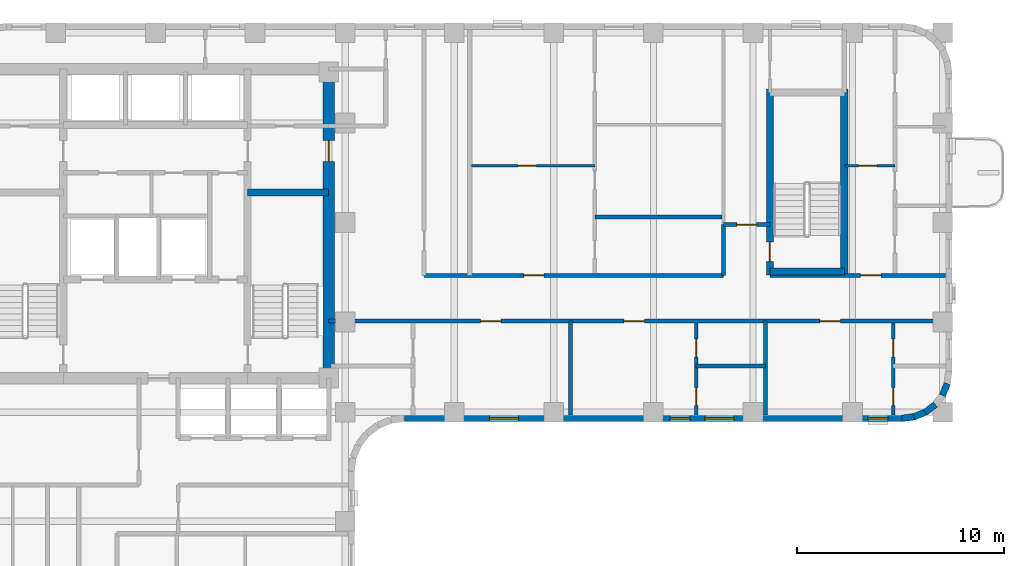
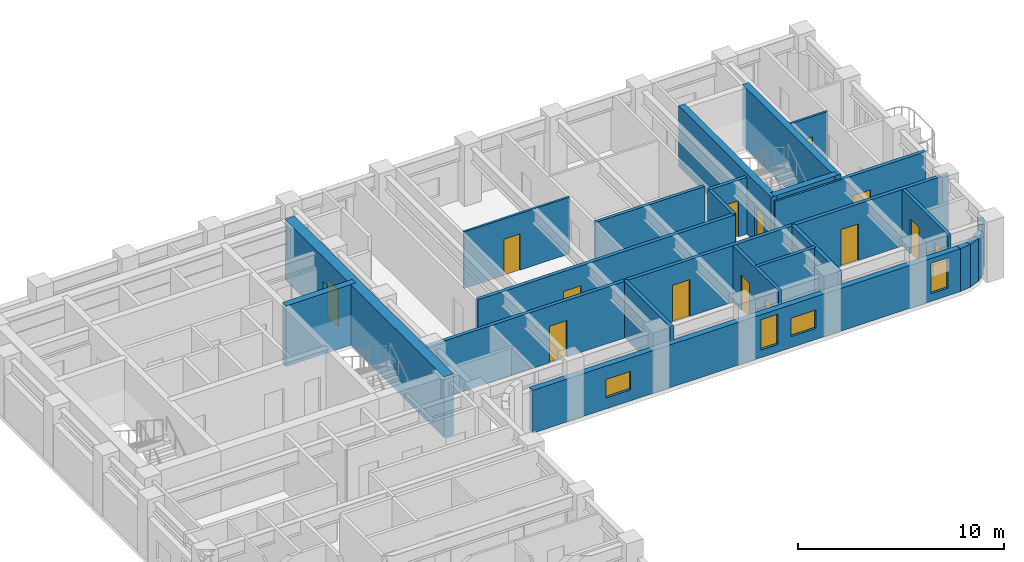
# One storey, part 5 of 9: 23 walls, 14 doors, 4 windows, 18 openings.
"""IFC4 building model written with IfcOpenShell, lengths in metres."""

from ifc_helpers import new_model, si_unit, direction, frame, frame_2d, origin, place, context, subcontext, project, spatial, rectangle, extrude, material, layer, layer_set, type_object, element, fill, save


model = new_model("IFC4")

# Units and contexts
model_context = context("Model", 3, precision=1e-05, world=origin(), true_north=direction((0.0, 1.0)))
body_context = subcontext(model_context, "Body", "Model", "MODEL_VIEW")
ifc_project = project(units=[si_unit("LENGTHUNIT", "METRE"), si_unit("AREAUNIT", "SQUARE_METRE"), si_unit("VOLUMEUNIT", "CUBIC_METRE"), si_unit("PLANEANGLEUNIT", "RADIAN"), si_unit("MASSUNIT", "GRAM", prefix="KILO")], contexts=[model_context])

# Site, building, storey
site_placement = place(None, origin())
site = spatial("IfcSite", under=ifc_project, at=site_placement, CompositionType="ELEMENT")
building_placement = place(site_placement, origin())
building = spatial("IfcBuilding", under=site, at=building_placement, Name="Orvandelia Arch Residences", CompositionType="ELEMENT")
storey_placement = place(building_placement, frame((0.0, 0.0, 128.800048828125)))
storey = spatial("IfcBuildingStorey", under=building, at=storey_placement, Name="L33", CompositionType="ELEMENT", Elevation=128.800048828125)

# Wall
ifc_material_1 = material(Name="Concrete C50/60", Category="concrete")
ifc_layer_1 = layer(ifc_material_1, 0.35009765625, Name="Concrete C50/60", Category="concrete")
ifc_layer_set_1 = layer_set([ifc_layer_1], Name="Concrete C50/60")
wall_type_1 = type_object("IfcWallType", Name="WL-CORE-350", PredefinedType="SHEAR", material=ifc_layer_set_1)
wall_1_placement = place(storey_placement, frame((18.840087890625, 39.85009765625, 0.0), z_axis=(0.0, 0.0, 1.0), x_axis=(1.0, 0.0, 0.0)))
element("IfcWall", 1, at=wall_1_placement, inside=storey, type_object=wall_type_1, Name="Core Shear Wall L33-HZ2", PredefinedType="SHEAR", context=body_context, shape_type="SweptSolid", body=[
    extrude(rectangle(XDim=3.909912109375, YDim=0.35009765625, at=frame_2d((1.955078125, 0.0))), origin(), (0.0, 0.0, 1.0), 3.599853515625),
])

# Wall, opening, door
wall_2_placement = place(storey_placement, frame((44.02001953125, 35.864990234375, 0.0), z_axis=(0.0, 0.0, 1.0), x_axis=(0.0, 1.0, 0.0)))
wall_2 = element("IfcWall", 2, at=wall_2_placement, inside=storey, type_object=wall_type_1, Name="East Stair Core Shear Wall L33-W", PredefinedType="SHEAR", context=body_context, shape_type="SweptSolid", body=[
    extrude(rectangle(XDim=8.969970703125, YDim=0.35009765625, at=frame_2d((4.48486328125, 0.0))), origin(), (0.0, 0.0, 1.0), 3.599853515625),
])
opening_1_placement = place(wall_2_placement, frame((0.64990234375, 0.0, 0.0)))
opening_1 = element("IfcOpeningElement", 3, at=opening_1_placement, cuts=wall_2, Name="Opening D7", PredefinedType="OPENING", context=body_context, shape_type="SweptSolid", body=[
    extrude(rectangle(XDim=0.949951171875, YDim=2.10009765625, at=frame_2d((0.47509765625, 1.050048828125))), frame((0.0, 0.18505859375, 0.0), z_axis=(0.0, -1.0, 0.0), x_axis=(1.0, 0.0, 0.0)), (0.0, 0.0, 1.0), 0.3701171875),
])
ifc_material_2 = material(Name="Pressurised Stairwell Fire Door")
door_type_1 = type_object("IfcDoorType", Name="DR-STAIR-950", OperationType="NOTDEFINED", PredefinedType="DOOR", material=ifc_material_2)
door_1_placement = place(opening_1_placement, origin())
door_1 = element("IfcDoor", 4, at=door_1_placement, inside=storey, type_object=door_type_1, Name="East Stairwell ST-3 Fire Door L33", OperationType="SINGLE_SWING_LEFT", OverallHeight=2.10009765625, OverallWidth=0.949951171875, PredefinedType="DOOR", context=body_context, shape_type="SweptSolid", body=[
    extrude(rectangle(XDim=0.949951171875, YDim=2.10009765625, at=frame_2d((0.47509765625, 1.050048828125))), frame((0.0, 0.02490234375, 0.0), z_axis=(0.0, -1.0, 0.0), x_axis=(1.0, 0.0, 0.0)), (0.0, 0.0, 1.0), 0.050048828125),
])
fill(opening_1, door_1)

# Walls
wall_3_placement = place(storey_placement, frame((47.60009765625, 35.864990234375, 0.0), z_axis=(0.0, 0.0, 1.0), x_axis=(0.0, 1.0, 0.0)))
element("IfcWall", 5, at=wall_3_placement, inside=storey, type_object=wall_type_1, Name="East Stair Core Shear Wall L33-E", PredefinedType="SHEAR", context=body_context, shape_type="SweptSolid", body=[
    extrude(rectangle(XDim=8.969970703125, YDim=0.35009765625, at=frame_2d((4.48486328125, 0.0))), origin(), (0.0, 0.0, 1.0), 3.599853515625),
])
wall_4_placement = place(storey_placement, frame((44.02001953125, 36.0400390625, 0.0), z_axis=(0.0, 0.0, 1.0), x_axis=(1.0, 0.0, 0.0)))
element("IfcWall", 6, at=wall_4_placement, inside=storey, type_object=wall_type_1, Name="East Stair Core Shear Wall L33-S", PredefinedType="SHEAR", context=body_context, shape_type="SweptSolid", body=[
    extrude(rectangle(XDim=3.580078125, YDim=0.35009765625, at=frame_2d((1.7900390625, 0.0))), origin(), (0.0, 0.0, 1.0), 3.599853515625),
])

# Wall, opening, door
ifc_material_3 = material(Name="Concrete C60/75", Category="concrete")
ifc_layer_2 = layer(ifc_material_3, 0.550048828125, Name="Concrete C60/75", Category="concrete")
ifc_layer_set_2 = layer_set([ifc_layer_2], Name="Concrete C60/75")
wall_type_2 = type_object("IfcWallType", Name="WL-CORE-550", PredefinedType="SHEAR", material=ifc_layer_set_2)
wall_5_placement = place(storey_placement, frame((22.75, 30.625, 0.0), z_axis=(0.0, 0.0, 1.0), x_axis=(0.0, 1.0, 0.0)))
wall_5 = element("IfcWall", 7, at=wall_5_placement, inside=storey, type_object=wall_type_2, Name="Core Shear Wall L33-E", PredefinedType="SHEAR", context=body_context, shape_type="SweptSolid", body=[
    extrude(rectangle(XDim=15.449951171875, YDim=0.550048828125, at=frame_2d((7.72509765625, 0.0))), origin(), (0.0, 0.0, 1.0), 3.599853515625),
])
opening_2_placement = place(wall_5_placement, frame((10.72509765625, 0.0, 0.0)))
opening_2 = element("IfcOpeningElement", 8, at=opening_2_placement, cuts=wall_5, Name="Opening D6", PredefinedType="OPENING", context=body_context, shape_type="SweptSolid", body=[
    extrude(rectangle(XDim=1.0, YDim=2.14990234375, at=frame_2d((0.5, 1.074951171875))), frame((0.0, 0.28515625, 0.0), z_axis=(0.0, -1.0, 0.0), x_axis=(1.0, 0.0, 0.0)), (0.0, 0.0, 1.0), 0.570068359375),
])
ifc_material_4 = material(Name="Smokeproof Painted Steel Fire Door", Category="steel")
door_type_2 = type_object("IfcDoorType", Name="DR-FD60-1000", OperationType="NOTDEFINED", PredefinedType="DOOR", material=ifc_material_4)
door_2_placement = place(opening_2_placement, origin())
door_2 = element("IfcDoor", 9, at=door_2_placement, inside=storey, type_object=door_type_2, Name="Core East Corridor Link Door L33", OperationType="SINGLE_SWING_LEFT", OverallHeight=2.14990234375, OverallWidth=1.0, PredefinedType="DOOR", context=body_context, shape_type="SweptSolid", body=[
    extrude(rectangle(XDim=1.0, YDim=2.14990234375, at=frame_2d((0.5, 1.074951171875))), frame((0.0, 0.02490234375, 0.0), z_axis=(0.0, -1.0, 0.0), x_axis=(1.0, 0.0, 0.0)), (0.0, 0.0, 1.0), 0.050048828125),
])
fill(opening_2, door_2)

# Wall, openings, doors
ifc_material_5 = material(Name="Fire-Rated Corridor Partition")
ifc_layer_3 = layer(ifc_material_5, 0.199951171875, Name="Fire-Rated Corridor Partition")
ifc_layer_set_3 = layer_set([ifc_layer_3], Name="Fire-Rated Corridor Partition")
wall_type_3 = type_object("IfcWallType", Name="WL-CORR-200", PredefinedType="PARTITIONING", material=ifc_layer_set_3)
wall_6_placement = place(storey_placement, frame((22.75, 33.64990234375, 0.0), z_axis=(0.0, 0.0, 1.0), x_axis=(1.0, 0.0, 0.0)))
wall_6 = element("IfcWall", 10, at=wall_6_placement, inside=storey, type_object=wall_type_3, Name="Interior Partition Wall WL-L33-ES-S", PredefinedType="PARTITIONING", context=body_context, shape_type="SweptSolid", body=[
    extrude(rectangle(XDim=29.72998046875, YDim=0.199951171875, at=frame_2d((14.864990234375, 0.0))), origin(), (0.0, 0.0, 1.0), 3.35986328125),
])
opening_3_placement = place(wall_6_placement, frame((7.326904296875, 0.0, 0.0)))
opening_3 = element("IfcOpeningElement", 11, at=opening_3_placement, cuts=wall_6, Name="Opening D1", PredefinedType="OPENING", context=body_context, shape_type="SweptSolid", body=[
    extrude(rectangle(XDim=0.97998046875, YDim=2.179931640625, at=frame_2d((0.489990234375, 1.08984375))), frame((0.0, 0.10986328125, 0.0), z_axis=(0.0, -1.0, 0.0), x_axis=(1.0, 0.0, 0.0)), (0.0, 0.0, 1.0), 0.219970703125),
])
opening_4_placement = place(wall_6_placement, frame((14.23095703125, 0.0, 0.0)))
opening_4 = element("IfcOpeningElement", 12, at=opening_4_placement, cuts=wall_6, Name="Opening D1", PredefinedType="OPENING", context=body_context, shape_type="SweptSolid", body=[
    extrude(rectangle(XDim=0.97998046875, YDim=2.179931640625, at=frame_2d((0.489990234375, 1.08984375))), frame((0.0, 0.10986328125, 0.0), z_axis=(0.0, -1.0, 0.0), x_axis=(1.0, 0.0, 0.0)), (0.0, 0.0, 1.0), 0.219970703125),
])
opening_5_placement = place(wall_6_placement, frame((23.679931640625, 0.0, 0.0)))
opening_5 = element("IfcOpeningElement", 13, at=opening_5_placement, cuts=wall_6, Name="Opening D1", PredefinedType="OPENING", context=body_context, shape_type="SweptSolid", body=[
    extrude(rectangle(XDim=0.97998046875, YDim=2.179931640625, at=frame_2d((0.489990234375, 1.08984375))), frame((0.0, 0.10986328125, 0.0), z_axis=(0.0, -1.0, 0.0), x_axis=(1.0, 0.0, 0.0)), (0.0, 0.0, 1.0), 0.219970703125),
])
ifc_material_6 = material(Name="Solid-Core Timber Acoustic Fire Door", Category="wood")
door_type_3 = type_object("IfcDoorType", Name="DR-ENT-980", OperationType="NOTDEFINED", PredefinedType="DOOR", material=ifc_material_6)
door_3_placement = place(opening_3_placement, origin())
door_3 = element("IfcDoor", 14, at=door_3_placement, inside=storey, type_object=door_type_3, Name="Unit L33-05 Entrance Door", OperationType="SINGLE_SWING_LEFT", OverallHeight=2.179931640625, OverallWidth=0.97998046875, PredefinedType="DOOR", context=body_context, shape_type="SweptSolid", body=[
    extrude(rectangle(XDim=0.97998046875, YDim=2.179931640625, at=frame_2d((0.489990234375, 1.08984375))), frame((0.0, 0.02490234375, 0.0), z_axis=(0.0, -1.0, 0.0), x_axis=(1.0, 0.0, 0.0)), (0.0, 0.0, 1.0), 0.050048828125),
])
fill(opening_3, door_3)
door_4_placement = place(opening_4_placement, origin())
door_4 = element("IfcDoor", 15, at=door_4_placement, inside=storey, type_object=door_type_3, Name="Unit L33-06 Entrance Door", OperationType="SINGLE_SWING_RIGHT", OverallHeight=2.179931640625, OverallWidth=0.97998046875, PredefinedType="DOOR", context=body_context, shape_type="SweptSolid", body=[
    extrude(rectangle(XDim=0.97998046875, YDim=2.179931640625, at=frame_2d((0.489990234375, 1.08984375))), frame((0.0, 0.02490234375, 0.0), z_axis=(0.0, -1.0, 0.0), x_axis=(1.0, 0.0, 0.0)), (0.0, 0.0, 1.0), 0.050048828125),
])
fill(opening_4, door_4)
door_5_placement = place(opening_5_placement, origin())
door_5 = element("IfcDoor", 16, at=door_5_placement, inside=storey, type_object=door_type_3, Name="Unit L33-07 Entrance Door", OperationType="SINGLE_SWING_LEFT", OverallHeight=2.179931640625, OverallWidth=0.97998046875, PredefinedType="DOOR", context=body_context, shape_type="SweptSolid", body=[
    extrude(rectangle(XDim=0.97998046875, YDim=2.179931640625, at=frame_2d((0.489990234375, 1.08984375))), frame((0.0, 0.02490234375, 0.0), z_axis=(0.0, -1.0, 0.0), x_axis=(1.0, 0.0, 0.0)), (0.0, 0.0, 1.0), 0.050048828125),
])
fill(opening_5, door_5)

# Wall, opening, door
wall_7_placement = place(storey_placement, frame((27.35009765625, 35.85009765625, 0.0), z_axis=(0.0, 0.0, 1.0), x_axis=(1.0, 0.0, 0.0)))
wall_7 = element("IfcWall", 17, at=wall_7_placement, inside=storey, type_object=wall_type_3, Name="Interior Partition Wall WL-L33-ES-N1", PredefinedType="PARTITIONING", context=body_context, shape_type="SweptSolid", body=[
    extrude(rectangle(XDim=14.429931640625, YDim=0.199951171875, at=frame_2d((7.21484375, 0.0))), origin(), (0.0, 0.0, 1.0), 3.35986328125),
])
opening_6_placement = place(wall_7_placement, frame((4.803466796875, 0.0, 0.0)))
opening_6 = element("IfcOpeningElement", 18, at=opening_6_placement, cuts=wall_7, Name="Opening D1", PredefinedType="OPENING", context=body_context, shape_type="SweptSolid", body=[
    extrude(rectangle(XDim=0.97998046875, YDim=2.179931640625, at=frame_2d((0.489990234375, 1.08984375))), frame((0.0, 0.10986328125, 0.0), z_axis=(0.0, -1.0, 0.0), x_axis=(1.0, 0.0, 0.0)), (0.0, 0.0, 1.0), 0.219970703125),
])
door_6_placement = place(opening_6_placement, origin())
door_6 = element("IfcDoor", 19, at=door_6_placement, inside=storey, type_object=door_type_3, Name="Unit L33-08 Entrance Door", OperationType="SINGLE_SWING_RIGHT", OverallHeight=2.179931640625, OverallWidth=0.97998046875, PredefinedType="DOOR", context=body_context, shape_type="SweptSolid", body=[
    extrude(rectangle(XDim=0.97998046875, YDim=2.179931640625, at=frame_2d((0.489990234375, 1.08984375))), frame((0.0, 0.02490234375, 0.0), z_axis=(0.0, -1.0, 0.0), x_axis=(1.0, 0.0, 0.0)), (0.0, 0.0, 1.0), 0.050048828125),
])
fill(opening_6, door_6)

wall_8_placement = place(storey_placement, frame((44.02001953125, 35.85009765625, 0.0), z_axis=(0.0, 0.0, 1.0), x_axis=(1.0, 0.0, 0.0)))
wall_8 = element("IfcWall", 20, at=wall_8_placement, inside=storey, type_object=wall_type_3, Name="Interior Partition Wall WL-L33-ES-N2", PredefinedType="PARTITIONING", context=body_context, shape_type="SweptSolid", body=[
    extrude(rectangle(XDim=8.4599609375, YDim=0.199951171875, at=frame_2d((4.22998046875, 0.0))), origin(), (0.0, 0.0, 1.0), 3.35986328125),
])
opening_7_placement = place(wall_8_placement, frame((4.37158203125, 0.0, 0.0)))
opening_7 = element("IfcOpeningElement", 21, at=opening_7_placement, cuts=wall_8, Name="Opening D1", PredefinedType="OPENING", context=body_context, shape_type="SweptSolid", body=[
    extrude(rectangle(XDim=0.97998046875, YDim=2.179931640625, at=frame_2d((0.489990234375, 1.08984375))), frame((0.0, 0.10986328125, 0.0), z_axis=(0.0, -1.0, 0.0), x_axis=(1.0, 0.0, 0.0)), (0.0, 0.0, 1.0), 0.219970703125),
])
door_7_placement = place(opening_7_placement, origin())
door_7 = element("IfcDoor", 22, at=door_7_placement, inside=storey, type_object=door_type_3, Name="Unit L33-09 Entrance Door", OperationType="SINGLE_SWING_LEFT", OverallHeight=2.179931640625, OverallWidth=0.97998046875, PredefinedType="DOOR", context=body_context, shape_type="SweptSolid", body=[
    extrude(rectangle(XDim=0.97998046875, YDim=2.179931640625, at=frame_2d((0.489990234375, 1.08984375))), frame((0.0, 0.02490234375, 0.0), z_axis=(0.0, -1.0, 0.0), x_axis=(1.0, 0.0, 0.0)), (0.0, 0.0, 1.0), 0.050048828125),
])
fill(opening_7, door_7)

# Wall
wall_9_placement = place(storey_placement, frame((41.780029296875, 35.85009765625, 0.0), z_axis=(0.0, 0.0, 1.0), x_axis=(0.0, 1.0, 0.0)))
element("IfcWall", 23, at=wall_9_placement, inside=storey, type_object=wall_type_3, Name="Interior Partition Wall WL-L33-ES-SW", PredefinedType="PARTITIONING", context=body_context, shape_type="SweptSolid", body=[
    extrude(rectangle(XDim=2.449951171875, YDim=0.199951171875, at=frame_2d((1.22509765625, 0.0))), origin(), (0.0, 0.0, 1.0), 3.35986328125),
])

# Wall, opening, door
wall_10_placement = place(storey_placement, frame((41.780029296875, 38.300048828125, 0.0), z_axis=(0.0, 0.0, 1.0), x_axis=(1.0, 0.0, 0.0)))
wall_10 = element("IfcWall", 24, at=wall_10_placement, inside=storey, type_object=wall_type_3, Name="Interior Partition Wall WL-L33-ES-SN", PredefinedType="PARTITIONING", context=body_context, shape_type="SweptSolid", body=[
    extrude(rectangle(XDim=2.239990234375, YDim=0.199951171875, at=frame_2d((1.1201171875, 0.0))), origin(), (0.0, 0.0, 1.0), 3.35986328125),
])
opening_8_placement = place(wall_10_placement, frame((0.64990234375, 0.0, 0.0)))
opening_8 = element("IfcOpeningElement", 25, at=opening_8_placement, cuts=wall_10, Name="Opening D2", PredefinedType="OPENING", context=body_context, shape_type="SweptSolid", body=[
    extrude(rectangle(XDim=0.949951171875, YDim=2.14990234375, at=frame_2d((0.47509765625, 1.074951171875))), frame((0.0, 0.10986328125, 0.0), z_axis=(0.0, -1.0, 0.0), x_axis=(1.0, 0.0, 0.0)), (0.0, 0.0, 1.0), 0.219970703125),
])
ifc_material_7 = material(Name="Solid-Core Timber Interior Fire Door", Category="wood")
door_type_4 = type_object("IfcDoorType", Name="DR-APT-950", OperationType="NOTDEFINED", PredefinedType="DOOR", material=ifc_material_7)
door_8_placement = place(opening_8_placement, origin())
door_8 = element("IfcDoor", 26, at=door_8_placement, inside=storey, type_object=door_type_4, Name="DR-L33-ESSPK", OperationType="SINGLE_SWING_LEFT", OverallHeight=2.14990234375, OverallWidth=0.949951171875, PredefinedType="DOOR", context=body_context, shape_type="SweptSolid", body=[
    extrude(rectangle(XDim=0.949951171875, YDim=2.14990234375, at=frame_2d((0.47509765625, 1.074951171875))), frame((0.0, 0.02490234375, 0.0), z_axis=(0.0, -1.0, 0.0), x_axis=(1.0, 0.0, 0.0)), (0.0, 0.0, 1.0), 0.050048828125),
])
fill(opening_8, door_8)

# Walls
ifc_material_8 = material(Name="Concrete C40/50", Category="concrete")
ifc_layer_4 = layer(ifc_material_8, 0.199951171875, Name="Concrete C40/50", Category="concrete")
ifc_layer_set_4 = layer_set([ifc_layer_4], Name="Concrete C40/50")
wall_type_4 = type_object("IfcWallType", Name="WL-DEM-200", PredefinedType="SOLIDWALL", material=ifc_layer_set_4)
for number, where, z_axis, x_axis, name in (
    (27, (34.39990234375, 29.1201171875, 0.0), (0.0, 0.0, 1.0), (0.0, 1.0, 0.0), "Interior Partition Wall WL-L33-DEM-ESS-344"),
    (28, (43.800048828125, 29.1201171875, 0.0), (0.0, 0.0, 1.0), (0.0, 1.0, 0.0), "Interior Partition Wall WL-L33-DEM-ESS-438"),
):
    element("IfcWall", number, at=place(storey_placement, frame(where, z_axis=z_axis, x_axis=x_axis)), inside=storey, type_object=wall_type_4, Name=name, PredefinedType="SOLIDWALL", context=body_context, shape_type="SweptSolid", body=[
        extrude(rectangle(XDim=4.52978515625, YDim=0.199951171875, at=frame_2d((2.264892578125, 0.0))), origin(), (0.0, 0.0, 1.0), 3.35986328125),
    ])
ifc_material_9 = material(Name="Precast concrete C40/50", Category="concrete")
ifc_layer_5 = layer(ifc_material_9, 0.320068359375, Name="Precast concrete C40/50", Category="concrete")
ifc_layer_set_5 = layer_set([ifc_layer_5], Name="Precast concrete C40/50")
wall_type_5 = type_object("IfcWallType", Name="WL-EXT-STONE-320", PredefinedType="STANDARD", material=ifc_layer_set_5)
wall_11_placement = place(storey_placement, frame((52.5703125, 30.639892578125, 0.0), z_axis=(0.0, 0.0, 1.0), x_axis=(-0.382455093999, -0.923974080304, 0.0)))
element("IfcWall", 29, at=wall_11_placement, inside=storey, type_object=wall_type_5, Name="Coral-Limestone Precast Facade Wall L33-016", PredefinedType="STANDARD", context=body_context, shape_type="SweptSolid", body=[
    extrude(rectangle(XDim=0.626220703125, YDim=0.320068359375, at=frame_2d((0.31298828125, 0.0))), origin(), (0.0, 0.0, 1.0), 2.5400390625),
])
wall_12_placement = place(storey_placement, frame((51.999755859375, 29.6298828125, 0.0), z_axis=(0.0, 0.0, 1.0), x_axis=(-0.7932174212, -0.608938521285, 0.0)))
element("IfcWall", 30, at=wall_12_placement, inside=storey, type_object=wall_type_5, Name="Coral-Limestone Precast Facade Wall L33-018", PredefinedType="STANDARD", context=body_context, shape_type="SweptSolid", body=[
    extrude(rectangle(XDim=0.626708984375, YDim=0.320068359375, at=frame_2d((0.3134765625, 0.0))), origin(), (0.0, 0.0, 1.0), 2.5400390625),
])
for number, where, z_axis, x_axis, name in (
    (31, (51.538818359375, 29.269287109375, 0.0), (0.0, 0.0, 1.0), (-0.92389335771, -0.382650053678, 0.0), "Coral-Limestone Precast Facade Wall L33-019"),
    (32, (51.000244140625, 29.040283203125, 0.0), (0.0, 0.0, 1.0), (-0.9914410257, -0.130555323746, 0.0), "Coral-Limestone Precast Facade Wall L33-020"),
):
    element("IfcWall", number, at=place(storey_placement, frame(where, z_axis=z_axis, x_axis=x_axis)), inside=storey, type_object=wall_type_5, Name=name, PredefinedType="STANDARD", context=body_context, shape_type="SweptSolid", body=[
        extrude(rectangle(XDim=0.62646484375, YDim=0.320068359375, at=frame_2d((0.313232421875, 0.0))), origin(), (0.0, 0.0, 1.0), 2.5400390625),
    ])

# Wall, openings, windows
wall_13_placement = place(storey_placement, frame((50.39990234375, 28.9599609375, 0.0), z_axis=(0.0, 0.0, 1.0), x_axis=(-1.0, 0.0, 0.0)))
wall_13 = element("IfcWall", 33, at=wall_13_placement, inside=storey, type_object=wall_type_5, Name="Coral-Limestone Precast Facade Wall L33-021", PredefinedType="STANDARD", context=body_context, shape_type="SweptSolid", body=[
    extrude(rectangle(XDim=24.0, YDim=0.320068359375, at=frame_2d((12.0, 0.0))), origin(), (0.0, 0.0, 1.0), 2.5400390625),
])
opening_9_placement = place(wall_13_placement, frame((18.5, 0.0, 0.64990234375)))
opening_9 = element("IfcOpeningElement", 34, at=opening_9_placement, cuts=wall_13, Name="Opening W10", PredefinedType="OPENING", context=body_context, shape_type="SweptSolid", body=[
    extrude(rectangle(XDim=1.39990234375, YDim=1.10009765625, at=frame_2d((0.699951171875, 0.550048828125))), frame((0.0, 0.169921875, 0.0), z_axis=(0.0, -1.0, 0.0), x_axis=(1.0, 0.0, 0.0)), (0.0, 0.0, 1.0), 0.340087890625),
])
opening_10_placement = place(wall_13_placement, frame((10.24658203125, 0.0, 0.449951171875)))
opening_10 = element("IfcOpeningElement", 35, at=opening_10_placement, cuts=wall_13, Name="Opening W4", PredefinedType="OPENING", context=body_context, shape_type="SweptSolid", body=[
    extrude(rectangle(XDim=0.949951171875, YDim=1.800048828125, at=frame_2d((0.47509765625, 0.89990234375))), frame((0.0, 0.169921875, 0.0), z_axis=(0.0, -1.0, 0.0), x_axis=(1.0, 0.0, 0.0)), (0.0, 0.0, 1.0), 0.340087890625),
])
opening_11_placement = place(wall_13_placement, frame((0.697509765625, 0.0, 0.449951171875)))
opening_11 = element("IfcOpeningElement", 36, at=opening_11_placement, cuts=wall_13, Name="Opening W4", PredefinedType="OPENING", context=body_context, shape_type="SweptSolid", body=[
    extrude(rectangle(XDim=0.949951171875, YDim=1.800048828125, at=frame_2d((0.47509765625, 0.89990234375))), frame((0.0, 0.169921875, 0.0), z_axis=(0.0, -1.0, 0.0), x_axis=(1.0, 0.0, 0.0)), (0.0, 0.0, 1.0), 0.340087890625),
])
opening_12_placement = place(wall_13_placement, frame((8.116455078125, 0.0, 0.64990234375)))
opening_12 = element("IfcOpeningElement", 37, at=opening_12_placement, cuts=wall_13, Name="Opening W10", PredefinedType="OPENING", context=body_context, shape_type="SweptSolid", body=[
    extrude(rectangle(XDim=1.39990234375, YDim=1.10009765625, at=frame_2d((0.699951171875, 0.550048828125))), frame((0.0, 0.169921875, 0.0), z_axis=(0.0, -1.0, 0.0), x_axis=(1.0, 0.0, 0.0)), (0.0, 0.0, 1.0), 0.340087890625),
])
ifc_material_10 = material(Name="Tempered Low-E Insulated Glazing", Category="glass")
window_type_1 = type_object("IfcWindowType", Name="WIN-CLR-1400x1100", PartitioningType="SINGLE_PANEL", PredefinedType="WINDOW", material=ifc_material_10)
window_1_placement = place(opening_9_placement, origin())
window_1 = element("IfcWindow", 38, at=window_1_placement, inside=storey, type_object=window_type_1, Name="Recessed Punched Window L33-013", OverallHeight=1.10009765625, OverallWidth=1.39990234375, PartitioningType="SINGLE_PANEL", PredefinedType="WINDOW", context=body_context, shape_type="SweptSolid", body=[
    extrude(rectangle(XDim=1.39990234375, YDim=1.10009765625, at=frame_2d((0.699951171875, 0.550048828125))), frame((0.0, 0.030029296875, 0.0), z_axis=(0.0, -1.0, 0.0), x_axis=(1.0, 0.0, 0.0)), (0.0, 0.0, 1.0), 0.06005859375),
])
fill(opening_9, window_1)
window_2_placement = place(opening_12_placement, origin())
window_2 = element("IfcWindow", 39, at=window_2_placement, inside=storey, type_object=window_type_1, Name="Recessed Punched Window L33-016", OverallHeight=1.10009765625, OverallWidth=1.39990234375, PartitioningType="SINGLE_PANEL", PredefinedType="WINDOW", context=body_context, shape_type="SweptSolid", body=[
    extrude(rectangle(XDim=1.39990234375, YDim=1.10009765625, at=frame_2d((0.699951171875, 0.550048828125))), frame((0.0, 0.030029296875, 0.0), z_axis=(0.0, -1.0, 0.0), x_axis=(1.0, 0.0, 0.0)), (0.0, 0.0, 1.0), 0.06005859375),
])
fill(opening_12, window_2)
window_type_2 = type_object("IfcWindowType", Name="WIN-RES-0950x1800", PartitioningType="SINGLE_PANEL", PredefinedType="WINDOW", material=ifc_material_10)
window_3_placement = place(opening_10_placement, origin())
window_3 = element("IfcWindow", 40, at=window_3_placement, inside=storey, type_object=window_type_2, Name="Recessed Punched Window L33-014", OverallHeight=1.800048828125, OverallWidth=0.949951171875, PartitioningType="SINGLE_PANEL", PredefinedType="WINDOW", context=body_context, shape_type="SweptSolid", body=[
    extrude(rectangle(XDim=0.949951171875, YDim=1.800048828125, at=frame_2d((0.47509765625, 0.89990234375))), frame((0.0, 0.030029296875, 0.0), z_axis=(0.0, -1.0, 0.0), x_axis=(1.0, 0.0, 0.0)), (0.0, 0.0, 1.0), 0.06005859375),
])
fill(opening_10, window_3)
window_4_placement = place(opening_11_placement, origin())
window_4 = element("IfcWindow", 41, at=window_4_placement, inside=storey, type_object=window_type_2, Name="Recessed Punched Window L33-015", OverallHeight=1.800048828125, OverallWidth=0.949951171875, PartitioningType="SINGLE_PANEL", PredefinedType="WINDOW", context=body_context, shape_type="SweptSolid", body=[
    extrude(rectangle(XDim=0.949951171875, YDim=1.800048828125, at=frame_2d((0.47509765625, 0.89990234375))), frame((0.0, 0.030029296875, 0.0), z_axis=(0.0, -1.0, 0.0), x_axis=(1.0, 0.0, 0.0)), (0.0, 0.0, 1.0), 0.06005859375),
])
fill(opening_11, window_4)

# Wall, opening, door
ifc_material_11 = material(Name="Lightweight Gypsum Stud Partition")
ifc_layer_6 = layer(ifc_material_11, 0.1201171875, Name="Lightweight Gypsum Stud Partition")
ifc_layer_set_6 = layer_set([ifc_layer_6], Name="Lightweight Gypsum Stud Partition")
wall_type_6 = type_object("IfcWallType", Name="WL-PART-120", PredefinedType="PARTITIONING", material=ifc_layer_set_6)
wall_14_placement = place(storey_placement, frame((29.6298828125, 41.1259765625, 0.0), z_axis=(0.0, 0.0, 1.0), x_axis=(1.0, 0.0, 0.0)))
wall_14 = element("IfcWall", 42, at=wall_14_placement, inside=storey, type_object=wall_type_6, Name="Interior Partition Wall WL-L33-U08-DIN", PredefinedType="PARTITIONING", context=body_context, shape_type="SweptSolid", body=[
    extrude(rectangle(XDim=5.947021484375, YDim=0.1201171875, at=frame_2d((2.9736328125, 0.0))), origin(), (0.0, 0.0, 1.0), 3.35986328125),
])
opening_13_placement = place(wall_14_placement, frame((2.235107421875, 0.0, 0.0)))
opening_13 = element("IfcOpeningElement", 43, at=opening_13_placement, cuts=wall_14, Name="Opening D3", PredefinedType="OPENING", context=body_context, shape_type="SweptSolid", body=[
    extrude(rectangle(XDim=0.89990234375, YDim=2.14990234375, at=frame_2d((0.449951171875, 1.074951171875))), frame((0.0, 0.070068359375, 0.0), z_axis=(0.0, -1.0, 0.0), x_axis=(1.0, 0.0, 0.0)), (0.0, 0.0, 1.0), 0.14013671875),
])
ifc_material_12 = material(Name="Engineered Timber Flush Door", Category="wood")
door_type_5 = type_object("IfcDoorType", Name="DR-INT-900", OperationType="NOTDEFINED", PredefinedType="DOOR", material=ifc_material_12)
door_9_placement = place(opening_13_placement, origin())
door_9 = element("IfcDoor", 44, at=door_9_placement, inside=storey, type_object=door_type_5, Name="DR-L33-U08-DIN", OperationType="SINGLE_SWING_LEFT", OverallHeight=2.14990234375, OverallWidth=0.89990234375, PredefinedType="DOOR", context=body_context, shape_type="SweptSolid", body=[
    extrude(rectangle(XDim=0.89990234375, YDim=2.14990234375, at=frame_2d((0.449951171875, 1.074951171875))), frame((0.0, 0.02490234375, 0.0), z_axis=(0.0, -1.0, 0.0), x_axis=(1.0, 0.0, 0.0)), (0.0, 0.0, 1.0), 0.050048828125),
])
fill(opening_13, door_9)

wall_15_placement = place(storey_placement, frame((47.639892578125, 41.137939453125, 0.0), z_axis=(0.0, 0.0, 1.0), x_axis=(1.0, 0.0, 0.0)))
wall_15 = element("IfcWall", 45, at=wall_15_placement, inside=storey, type_object=wall_type_6, Name="Interior Partition Wall WL-L33-U09-DIN", PredefinedType="PARTITIONING", context=body_context, shape_type="SweptSolid", body=[
    extrude(rectangle(XDim=2.403076171875, YDim=0.1201171875, at=frame_2d((1.20166015625, 0.0))), origin(), (0.0, 0.0, 1.0), 3.35986328125),
])
opening_14_placement = place(wall_15_placement, frame((0.640380859375, 0.0, 0.0)))
opening_14 = element("IfcOpeningElement", 46, at=opening_14_placement, cuts=wall_15, Name="Opening D3", PredefinedType="OPENING", context=body_context, shape_type="SweptSolid", body=[
    extrude(rectangle(XDim=0.89990234375, YDim=2.14990234375, at=frame_2d((0.449951171875, 1.074951171875))), frame((0.0, 0.070068359375, 0.0), z_axis=(0.0, -1.0, 0.0), x_axis=(1.0, 0.0, 0.0)), (0.0, 0.0, 1.0), 0.14013671875),
])
door_10_placement = place(opening_14_placement, origin())
door_10 = element("IfcDoor", 47, at=door_10_placement, inside=storey, type_object=door_type_5, Name="DR-L33-U09-DIN", OperationType="SINGLE_SWING_RIGHT", OverallHeight=2.14990234375, OverallWidth=0.89990234375, PredefinedType="DOOR", context=body_context, shape_type="SweptSolid", body=[
    extrude(rectangle(XDim=0.89990234375, YDim=2.14990234375, at=frame_2d((0.449951171875, 1.074951171875))), frame((0.0, 0.02490234375, 0.0), z_axis=(0.0, -1.0, 0.0), x_axis=(1.0, 0.0, 0.0)), (0.0, 0.0, 1.0), 0.050048828125),
])
fill(opening_14, door_10)

# Wall, openings, doors
ifc_material_13 = material(Name="Moisture-Resistant Plumbing Wall")
ifc_layer_7 = layer(ifc_material_13, 0.179931640625, Name="Moisture-Resistant Plumbing Wall")
ifc_layer_set_7 = layer_set([ifc_layer_7], Name="Moisture-Resistant Plumbing Wall")
wall_type_7 = type_object("IfcWallType", Name="WL-WET-180", PredefinedType="PLUMBINGWALL", material=ifc_layer_set_7)
wall_16_placement = place(storey_placement, frame((40.4619140625, 29.1201171875, 0.0), z_axis=(0.0, 0.0, 1.0), x_axis=(0.0, 1.0, 0.0)))
wall_16 = element("IfcWall", 48, at=wall_16_placement, inside=storey, type_object=wall_type_7, Name="Interior Partition Wall WL-L33-U06-VT", PredefinedType="PLUMBINGWALL", context=body_context, shape_type="SweptSolid", body=[
    extrude(rectangle(XDim=4.429931640625, YDim=0.179931640625, at=frame_2d((2.21484375, 0.0))), origin(), (0.0, 0.0, 1.0), 3.35986328125),
])
opening_15_placement = place(wall_16_placement, frame((0.458740234375, 0.0, 0.0)))
opening_15 = element("IfcOpeningElement", 49, at=opening_15_placement, cuts=wall_16, Name="Opening D4", PredefinedType="OPENING", context=body_context, shape_type="SweptSolid", body=[
    extrude(rectangle(XDim=0.860107421875, YDim=2.10009765625, at=frame_2d((0.43017578125, 1.050048828125))), frame((0.0, 0.10009765625, 0.0), z_axis=(0.0, -1.0, 0.0), x_axis=(1.0, 0.0, 0.0)), (0.0, 0.0, 1.0), 0.199951171875),
])
opening_16_placement = place(wall_16_placement, frame((2.79931640625, 0.0, 0.0)))
opening_16 = element("IfcOpeningElement", 50, at=opening_16_placement, cuts=wall_16, Name="Opening D4", PredefinedType="OPENING", context=body_context, shape_type="SweptSolid", body=[
    extrude(rectangle(XDim=0.860107421875, YDim=2.10009765625, at=frame_2d((0.43017578125, 1.050048828125))), frame((0.0, 0.10009765625, 0.0), z_axis=(0.0, -1.0, 0.0), x_axis=(1.0, 0.0, 0.0)), (0.0, 0.0, 1.0), 0.199951171875),
])
ifc_material_14 = material(Name="Moisture-Sealed Timber Bathroom Door", Category="wood")
door_type_6 = type_object("IfcDoorType", Name="DR-WET-900", OperationType="NOTDEFINED", PredefinedType="DOOR", material=ifc_material_14)
door_11_placement = place(opening_15_placement, origin())
door_11 = element("IfcDoor", 51, at=door_11_placement, inside=storey, type_object=door_type_6, Name="DR-L33-U06-KIT", OperationType="SINGLE_SWING_RIGHT", OverallHeight=2.10009765625, OverallWidth=0.860107421875, PredefinedType="DOOR", context=body_context, shape_type="SweptSolid", body=[
    extrude(rectangle(XDim=0.860107421875, YDim=2.10009765625, at=frame_2d((0.43017578125, 1.050048828125))), frame((0.0, 0.02490234375, 0.0), z_axis=(0.0, -1.0, 0.0), x_axis=(1.0, 0.0, 0.0)), (0.0, 0.0, 1.0), 0.050048828125),
])
fill(opening_15, door_11)
door_12_placement = place(opening_16_placement, origin())
door_12 = element("IfcDoor", 52, at=door_12_placement, inside=storey, type_object=door_type_6, Name="DR-L33-U06-BTH", OperationType="SINGLE_SWING_LEFT", OverallHeight=2.10009765625, OverallWidth=0.860107421875, PredefinedType="DOOR", context=body_context, shape_type="SweptSolid", body=[
    extrude(rectangle(XDim=0.860107421875, YDim=2.10009765625, at=frame_2d((0.43017578125, 1.050048828125))), frame((0.0, 0.02490234375, 0.0), z_axis=(0.0, -1.0, 0.0), x_axis=(1.0, 0.0, 0.0)), (0.0, 0.0, 1.0), 0.050048828125),
])
fill(opening_16, door_12)

# Wall
wall_17_placement = place(storey_placement, frame((40.4619140625, 31.485107421875, 0.0), z_axis=(0.0, 0.0, 1.0), x_axis=(1.0, 0.0, 0.0)))
element("IfcWall", 53, at=wall_17_placement, inside=storey, type_object=wall_type_7, Name="Interior Partition Wall WL-L33-U06-H1", PredefinedType="PLUMBINGWALL", context=body_context, shape_type="SweptSolid", body=[
    extrude(rectangle(XDim=3.338134765625, YDim=0.179931640625, at=frame_2d((1.6689453125, 0.0))), origin(), (0.0, 0.0, 1.0), 3.35986328125),
])

# Wall, openings, doors
wall_18_placement = place(storey_placement, frame((49.9599609375, 29.1201171875, 0.0), z_axis=(0.0, 0.0, 1.0), x_axis=(0.0, 1.0, 0.0)))
wall_18 = element("IfcWall", 54, at=wall_18_placement, inside=storey, type_object=wall_type_7, Name="Interior Partition Wall WL-L33-U07-VT", PredefinedType="PLUMBINGWALL", context=body_context, shape_type="SweptSolid", body=[
    extrude(rectangle(XDim=4.429931640625, YDim=0.179931640625, at=frame_2d((2.21484375, 0.0))), origin(), (0.0, 0.0, 1.0), 3.35986328125),
])
opening_17_placement = place(wall_18_placement, frame((0.458740234375, 0.0, 0.0)))
opening_17 = element("IfcOpeningElement", 55, at=opening_17_placement, cuts=wall_18, Name="Opening D4", PredefinedType="OPENING", context=body_context, shape_type="SweptSolid", body=[
    extrude(rectangle(XDim=0.860107421875, YDim=2.10009765625, at=frame_2d((0.43017578125, 1.050048828125))), frame((0.0, 0.10009765625, 0.0), z_axis=(0.0, -1.0, 0.0), x_axis=(1.0, 0.0, 0.0)), (0.0, 0.0, 1.0), 0.199951171875),
])
opening_18_placement = place(wall_18_placement, frame((2.79931640625, 0.0, 0.0)))
opening_18 = element("IfcOpeningElement", 56, at=opening_18_placement, cuts=wall_18, Name="Opening D4", PredefinedType="OPENING", context=body_context, shape_type="SweptSolid", body=[
    extrude(rectangle(XDim=0.860107421875, YDim=2.10009765625, at=frame_2d((0.43017578125, 1.050048828125))), frame((0.0, 0.10009765625, 0.0), z_axis=(0.0, -1.0, 0.0), x_axis=(1.0, 0.0, 0.0)), (0.0, 0.0, 1.0), 0.199951171875),
])
door_13_placement = place(opening_17_placement, origin())
door_13 = element("IfcDoor", 57, at=door_13_placement, inside=storey, type_object=door_type_6, Name="DR-L33-U07-KIT", OperationType="SINGLE_SWING_LEFT", OverallHeight=2.10009765625, OverallWidth=0.860107421875, PredefinedType="DOOR", context=body_context, shape_type="SweptSolid", body=[
    extrude(rectangle(XDim=0.860107421875, YDim=2.10009765625, at=frame_2d((0.43017578125, 1.050048828125))), frame((0.0, 0.02490234375, 0.0), z_axis=(0.0, -1.0, 0.0), x_axis=(1.0, 0.0, 0.0)), (0.0, 0.0, 1.0), 0.050048828125),
])
fill(opening_17, door_13)
door_14_placement = place(opening_18_placement, origin())
door_14 = element("IfcDoor", 58, at=door_14_placement, inside=storey, type_object=door_type_6, Name="DR-L33-U07-BTH", OperationType="SINGLE_SWING_RIGHT", OverallHeight=2.10009765625, OverallWidth=0.860107421875, PredefinedType="DOOR", context=body_context, shape_type="SweptSolid", body=[
    extrude(rectangle(XDim=0.860107421875, YDim=2.10009765625, at=frame_2d((0.43017578125, 1.050048828125))), frame((0.0, 0.02490234375, 0.0), z_axis=(0.0, -1.0, 0.0), x_axis=(1.0, 0.0, 0.0)), (0.0, 0.0, 1.0), 0.050048828125),
])
fill(opening_18, door_14)

# Wall
wall_19_placement = place(storey_placement, frame((35.576904296875, 38.659912109375, 0.0), z_axis=(0.0, 0.0, 1.0), x_axis=(1.0, 0.0, 0.0)))
element("IfcWall", 59, at=wall_19_placement, inside=storey, type_object=wall_type_7, Name="Interior Partition Wall WL-L33-U08-H1", PredefinedType="PLUMBINGWALL", context=body_context, shape_type="SweptSolid", body=[
    extrude(rectangle(XDim=6.123046875, YDim=0.179931640625, at=frame_2d((3.0615234375, 0.0))), origin(), (0.0, 0.0, 1.0), 3.35986328125),
])

save(model, "model.ifc")
